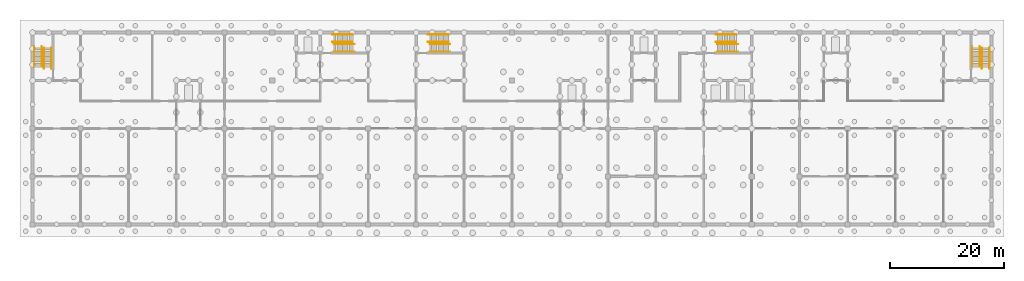
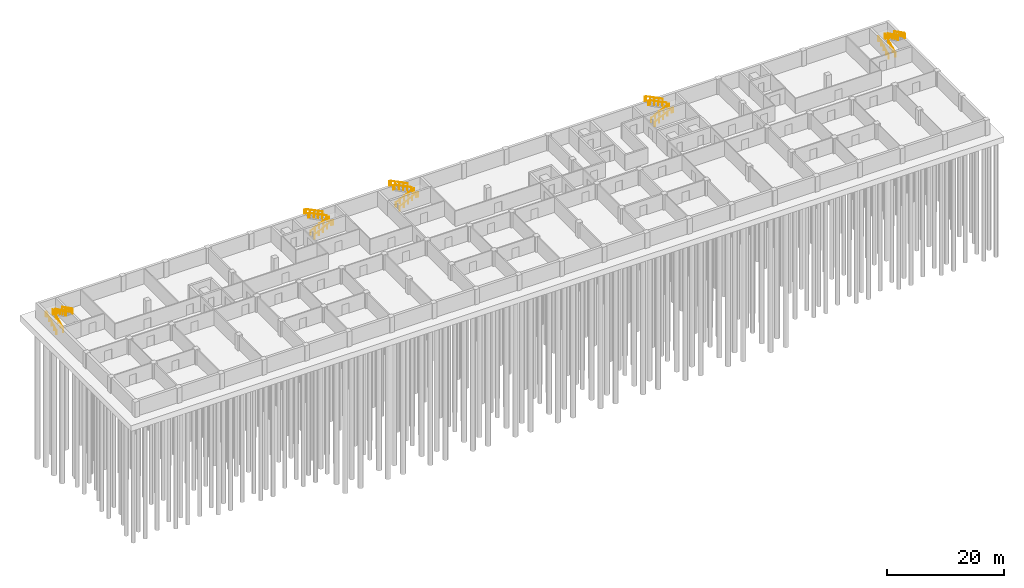
# One storey, part 10 of 11: 20 railings.
"""IFC4 building model written with IfcOpenShell, lengths in metres."""

from ifc_helpers import new_model, si_unit, direction, frame, origin, origin_2d, place, context, subcontext, project, spatial, circle, extrude, material, type_object, element, save


model = new_model("IFC4")

# Units and contexts
model_context = context("Model", 3, precision=1e-05, world=origin(), true_north=direction((0.0, 1.0)))
body_context = subcontext(model_context, "Body", "Model", "MODEL_VIEW")
ifc_project = project(units=[si_unit("LENGTHUNIT", "METRE"), si_unit("AREAUNIT", "SQUARE_METRE"), si_unit("VOLUMEUNIT", "CUBIC_METRE"), si_unit("PLANEANGLEUNIT", "RADIAN"), si_unit("MASSUNIT", "GRAM", prefix="KILO")], contexts=[model_context])

# Site, building, storey
site_placement = place(None, origin())
site = spatial("IfcSite", under=ifc_project, at=site_placement, CompositionType="ELEMENT")
building_placement = place(site_placement, origin())
building = spatial("IfcBuilding", under=site, at=building_placement, Name="Yavir Park General Hospital", CompositionType="ELEMENT")
storey_placement = place(building_placement, frame((0.0, 0.0, -15.0)))
storey = spatial("IfcBuildingStorey", under=building, at=storey_placement, Name="B4", CompositionType="ELEMENT", Elevation=-15.0)

# Railings
ifc_material = material(Name="Stainless steel tube 48 mm", Category="steel")
railing_type = type_object("IfcRailingType", Name="Stair handrail, steel tube, 900 mm above the nosings", PredefinedType="HANDRAIL", material=ifc_material)
for number, where, name in (
    (1, (0.2900390625, 27.60009765625, 0.14990234375), "Handrail BS1 B4 1"),
    (2, (1.610107421875, 27.60009765625, 0.14990234375), "Handrail BS1 B4 2"),
):
    element("IfcRailing", number, at=place(storey_placement, frame(where)), inside=storey, type_object=railing_type, Name=name, PredefinedType="HANDRAIL", context=body_context, shape_type="SweptSolid", body=[
        extrude(circle(Radius=0.02392578125, at=origin_2d()), frame((0.0, 0.0, 0.8759765625), z_axis=(0.0, 0.894400720042, 0.447266533499), x_axis=(-1.0, 0.0, 0.0)), (0.0, 0.0, 1.0), 3.689453125),
        extrude(circle(Radius=0.02392578125, at=origin_2d()), frame((0.0, 3.2998046875, 2.52587890625), z_axis=(0.0, 1.0, 0.0), x_axis=(-1.0, 0.0, 0.0)), (0.0, 0.0, 1.0), 0.300048828125),
        extrude(circle(Radius=0.02099609375, at=origin_2d()), origin(), (0.0, 0.0, 1.0), 0.851806640625),
        extrude(circle(Radius=0.02099609375, at=origin_2d()), frame((0.0, 0.824951171875, 0.41259765625)), (0.0, 0.0, 1.0), 0.851806640625),
        extrude(circle(Radius=0.02099609375, at=origin_2d()), frame((0.0, 1.64990234375, 0.8251953125)), (0.0, 0.0, 1.0), 0.851806640625),
        extrude(circle(Radius=0.02099609375, at=origin_2d()), frame((0.0, 2.474853515625, 1.237548828125)), (0.0, 0.0, 1.0), 0.851806640625),
        extrude(circle(Radius=0.02099609375, at=origin_2d()), frame((0.0, 3.2998046875, 1.650146484375)), (0.0, 0.0, 1.0), 0.851806640625),
        extrude(circle(Radius=0.02099609375, at=origin_2d()), frame((0.0, 3.599853515625, 1.650146484375)), (0.0, 0.0, 1.0), 0.851806640625),
    ])
for number, where, name in (
    (3, (3.31005859375, 30.89990234375, 1.949951171875), "Handrail BS1 B4 3"),
    (4, (1.989990234375, 30.89990234375, 1.949951171875), "Handrail BS1 B4 4"),
):
    element("IfcRailing", number, at=place(storey_placement, frame(where)), inside=storey, type_object=railing_type, Name=name, PredefinedType="HANDRAIL", context=body_context, shape_type="SweptSolid", body=[
        extrude(circle(Radius=0.02392578125, at=origin_2d()), frame((0.0, 0.0, 0.8759765625), z_axis=(0.0, -0.894400720042, 0.447266533499), x_axis=(1.0, 0.0, 0.0)), (0.0, 0.0, 1.0), 3.689453125),
        extrude(circle(Radius=0.02392578125, at=origin_2d()), frame((0.0, -3.2998046875, 2.52587890625), z_axis=(0.0, -1.0, 0.0), x_axis=(1.0, 0.0, 0.0)), (0.0, 0.0, 1.0), 0.300048828125),
        extrude(circle(Radius=0.02099609375, at=origin_2d()), origin(), (0.0, 0.0, 1.0), 0.851806640625),
        extrude(circle(Radius=0.02099609375, at=origin_2d()), frame((0.0, -0.824951171875, 0.41259765625)), (0.0, 0.0, 1.0), 0.851806640625),
        extrude(circle(Radius=0.02099609375, at=origin_2d()), frame((0.0, -1.64990234375, 0.8251953125)), (0.0, 0.0, 1.0), 0.851806640625),
        extrude(circle(Radius=0.02099609375, at=origin_2d()), frame((0.0, -2.474853515625, 1.237548828125)), (0.0, 0.0, 1.0), 0.851806640625),
        extrude(circle(Radius=0.02099609375, at=origin_2d()), frame((0.0, -3.2998046875, 1.650146484375)), (0.0, 0.0, 1.0), 0.851806640625),
        extrude(circle(Radius=0.02099609375, at=origin_2d()), frame((0.0, -3.599853515625, 1.650146484375)), (0.0, 0.0, 1.0), 0.851806640625),
    ])
for number, where, name in (
    (5, (52.800048828125, 30.239990234375, 0.14990234375), "Handrail BS2 B4 1"),
    (6, (52.800048828125, 31.56005859375, 0.14990234375), "Handrail BS2 B4 2"),
):
    element("IfcRailing", number, at=place(storey_placement, frame(where)), inside=storey, type_object=railing_type, Name=name, PredefinedType="HANDRAIL", context=body_context, shape_type="SweptSolid", body=[
        extrude(circle(Radius=0.02392578125, at=origin_2d()), frame((0.0, 0.0, 0.8759765625), z_axis=(0.894413956696, 0.0, 0.447240063129), x_axis=(0.0, 1.0, 0.0)), (0.0, 0.0, 1.0), 3.689697265625),
        extrude(circle(Radius=0.02392578125, at=origin_2d()), frame((3.300048828125, 0.0, 2.52587890625), z_axis=(1.0, 0.0, 0.0), x_axis=(0.0, 1.0, 0.0)), (0.0, 0.0, 1.0), 0.2998046875),
        extrude(circle(Radius=0.02099609375, at=origin_2d()), origin(), (0.0, 0.0, 1.0), 0.851806640625),
        extrude(circle(Radius=0.02099609375, at=origin_2d()), frame((0.824951171875, 0.0, 0.41259765625)), (0.0, 0.0, 1.0), 0.851806640625),
        extrude(circle(Radius=0.02099609375, at=origin_2d()), frame((1.64990234375, 0.0, 0.8251953125)), (0.0, 0.0, 1.0), 0.851806640625),
        extrude(circle(Radius=0.02099609375, at=origin_2d()), frame((2.47509765625, 0.0, 1.237548828125)), (0.0, 0.0, 1.0), 0.851806640625),
        extrude(circle(Radius=0.02099609375, at=origin_2d()), frame((3.300048828125, 0.0, 1.650146484375)), (0.0, 0.0, 1.0), 0.851806640625),
        extrude(circle(Radius=0.02099609375, at=origin_2d()), frame((3.599853515625, 0.0, 1.650146484375)), (0.0, 0.0, 1.0), 0.851806640625),
    ])
for number, where, name in (
    (7, (56.10009765625, 33.260009765625, 1.949951171875), "Handrail BS2 B4 3"),
    (8, (56.10009765625, 31.93994140625, 1.949951171875), "Handrail BS2 B4 4"),
):
    element("IfcRailing", number, at=place(storey_placement, frame(where)), inside=storey, type_object=railing_type, Name=name, PredefinedType="HANDRAIL", context=body_context, shape_type="SweptSolid", body=[
        extrude(circle(Radius=0.02392578125, at=origin_2d()), frame((0.0, 0.0, 0.8759765625), z_axis=(-0.894413956696, 0.0, 0.447240063129), x_axis=(0.0, -1.0, 0.0)), (0.0, 0.0, 1.0), 3.689697265625),
        extrude(circle(Radius=0.02392578125, at=origin_2d()), frame((-3.300048828125, 0.0, 2.52587890625), z_axis=(-1.0, 0.0, 0.0), x_axis=(0.0, -1.0, 0.0)), (0.0, 0.0, 1.0), 0.300048828125),
        extrude(circle(Radius=0.02099609375, at=origin_2d()), origin(), (0.0, 0.0, 1.0), 0.851806640625),
        extrude(circle(Radius=0.02099609375, at=origin_2d()), frame((-0.824951171875, 0.0, 0.41259765625)), (0.0, 0.0, 1.0), 0.851806640625),
        extrude(circle(Radius=0.02099609375, at=origin_2d()), frame((-1.64990234375, 0.0, 0.8251953125)), (0.0, 0.0, 1.0), 0.851806640625),
        extrude(circle(Radius=0.02099609375, at=origin_2d()), frame((-2.47509765625, 0.0, 1.237548828125)), (0.0, 0.0, 1.0), 0.851806640625),
        extrude(circle(Radius=0.02099609375, at=origin_2d()), frame((-3.300048828125, 0.0, 1.650146484375)), (0.0, 0.0, 1.0), 0.851806640625),
        extrude(circle(Radius=0.02099609375, at=origin_2d()), frame((-3.60009765625, 0.0, 1.650146484375)), (0.0, 0.0, 1.0), 0.851806640625),
    ])
for number, where, name in (
    (9, (69.60009765625, 30.239990234375, 0.14990234375), "Handrail BS3 B4 1"),
    (10, (69.60009765625, 31.56005859375, 0.14990234375), "Handrail BS3 B4 2"),
):
    element("IfcRailing", number, at=place(storey_placement, frame(where)), inside=storey, type_object=railing_type, Name=name, PredefinedType="HANDRAIL", context=body_context, shape_type="SweptSolid", body=[
        extrude(circle(Radius=0.02392578125, at=origin_2d()), frame((0.0, 0.0, 0.8759765625), z_axis=(0.894400720042, 0.0, 0.447266533499), x_axis=(0.0, 1.0, 0.0)), (0.0, 0.0, 1.0), 3.689453125),
        extrude(circle(Radius=0.02392578125, at=origin_2d()), frame((3.2998046875, 0.0, 2.52587890625), z_axis=(1.0, 0.0, 0.0), x_axis=(0.0, 1.0, 0.0)), (0.0, 0.0, 1.0), 0.300048828125),
        extrude(circle(Radius=0.02099609375, at=origin_2d()), origin(), (0.0, 0.0, 1.0), 0.851806640625),
        extrude(circle(Radius=0.02099609375, at=origin_2d()), frame((0.824951171875, 0.0, 0.41259765625)), (0.0, 0.0, 1.0), 0.851806640625),
        extrude(circle(Radius=0.02099609375, at=origin_2d()), frame((1.64990234375, 0.0, 0.8251953125)), (0.0, 0.0, 1.0), 0.851806640625),
        extrude(circle(Radius=0.02099609375, at=origin_2d()), frame((2.474853515625, 0.0, 1.237548828125)), (0.0, 0.0, 1.0), 0.851806640625),
        extrude(circle(Radius=0.02099609375, at=origin_2d()), frame((3.2998046875, 0.0, 1.650146484375)), (0.0, 0.0, 1.0), 0.851806640625),
        extrude(circle(Radius=0.02099609375, at=origin_2d()), frame((3.599853515625, 0.0, 1.650146484375)), (0.0, 0.0, 1.0), 0.851806640625),
    ])
for number, where, name in (
    (11, (72.89990234375, 33.260009765625, 1.949951171875), "Handrail BS3 B4 3"),
    (12, (72.89990234375, 31.93994140625, 1.949951171875), "Handrail BS3 B4 4"),
):
    element("IfcRailing", number, at=place(storey_placement, frame(where)), inside=storey, type_object=railing_type, Name=name, PredefinedType="HANDRAIL", context=body_context, shape_type="SweptSolid", body=[
        extrude(circle(Radius=0.02392578125, at=origin_2d()), frame((0.0, 0.0, 0.8759765625), z_axis=(-0.894400720042, 0.0, 0.447266533499), x_axis=(0.0, -1.0, 0.0)), (0.0, 0.0, 1.0), 3.689453125),
        extrude(circle(Radius=0.02392578125, at=origin_2d()), frame((-3.2998046875, 0.0, 2.52587890625), z_axis=(-1.0, 0.0, 0.0), x_axis=(0.0, -1.0, 0.0)), (0.0, 0.0, 1.0), 0.300048828125),
        extrude(circle(Radius=0.02099609375, at=origin_2d()), origin(), (0.0, 0.0, 1.0), 0.851806640625),
        extrude(circle(Radius=0.02099609375, at=origin_2d()), frame((-0.824951171875, 0.0, 0.41259765625)), (0.0, 0.0, 1.0), 0.851806640625),
        extrude(circle(Radius=0.02099609375, at=origin_2d()), frame((-1.64990234375, 0.0, 0.8251953125)), (0.0, 0.0, 1.0), 0.851806640625),
        extrude(circle(Radius=0.02099609375, at=origin_2d()), frame((-2.474853515625, 0.0, 1.237548828125)), (0.0, 0.0, 1.0), 0.851806640625),
        extrude(circle(Radius=0.02099609375, at=origin_2d()), frame((-3.2998046875, 0.0, 1.650146484375)), (0.0, 0.0, 1.0), 0.851806640625),
        extrude(circle(Radius=0.02099609375, at=origin_2d()), frame((-3.599853515625, 0.0, 1.650146484375)), (0.0, 0.0, 1.0), 0.851806640625),
    ])
for number, where, name in (
    (13, (120.0, 30.239990234375, 0.14990234375), "Handrail BS4 B4 1"),
    (14, (120.0, 31.56005859375, 0.14990234375), "Handrail BS4 B4 2"),
):
    element("IfcRailing", number, at=place(storey_placement, frame(where)), inside=storey, type_object=railing_type, Name=name, PredefinedType="HANDRAIL", context=body_context, shape_type="SweptSolid", body=[
        extrude(circle(Radius=0.02392578125, at=origin_2d()), frame((0.0, 0.0, 0.8759765625), z_axis=(0.894413956696, 0.0, 0.447240063129), x_axis=(0.0, 1.0, 0.0)), (0.0, 0.0, 1.0), 3.689697265625),
        extrude(circle(Radius=0.02392578125, at=origin_2d()), frame((3.300048828125, 0.0, 2.52587890625), z_axis=(1.0, 0.0, 0.0), x_axis=(0.0, 1.0, 0.0)), (0.0, 0.0, 1.0), 0.300048828125),
        extrude(circle(Radius=0.02099609375, at=origin_2d()), origin(), (0.0, 0.0, 1.0), 0.851806640625),
        extrude(circle(Radius=0.02099609375, at=origin_2d()), frame((0.824951171875, 0.0, 0.41259765625)), (0.0, 0.0, 1.0), 0.851806640625),
        extrude(circle(Radius=0.02099609375, at=origin_2d()), frame((1.64990234375, 0.0, 0.8251953125)), (0.0, 0.0, 1.0), 0.851806640625),
        extrude(circle(Radius=0.02099609375, at=origin_2d()), frame((2.47509765625, 0.0, 1.237548828125)), (0.0, 0.0, 1.0), 0.851806640625),
        extrude(circle(Radius=0.02099609375, at=origin_2d()), frame((3.300048828125, 0.0, 1.650146484375)), (0.0, 0.0, 1.0), 0.851806640625),
        extrude(circle(Radius=0.02099609375, at=origin_2d()), frame((3.60009765625, 0.0, 1.650146484375)), (0.0, 0.0, 1.0), 0.851806640625),
    ])
for number, where, name in (
    (15, (123.300048828125, 33.260009765625, 1.949951171875), "Handrail BS4 B4 3"),
    (16, (123.300048828125, 31.93994140625, 1.949951171875), "Handrail BS4 B4 4"),
):
    element("IfcRailing", number, at=place(storey_placement, frame(where)), inside=storey, type_object=railing_type, Name=name, PredefinedType="HANDRAIL", context=body_context, shape_type="SweptSolid", body=[
        extrude(circle(Radius=0.02392578125, at=origin_2d()), frame((0.0, 0.0, 0.8759765625), z_axis=(-0.894413956696, 0.0, 0.447240063129), x_axis=(0.0, -1.0, 0.0)), (0.0, 0.0, 1.0), 3.689697265625),
        extrude(circle(Radius=0.02392578125, at=origin_2d()), frame((-3.300048828125, 0.0, 2.52587890625), z_axis=(-1.0, 0.0, 0.0), x_axis=(0.0, -1.0, 0.0)), (0.0, 0.0, 1.0), 0.300048828125),
        extrude(circle(Radius=0.02099609375, at=origin_2d()), origin(), (0.0, 0.0, 1.0), 0.851806640625),
        extrude(circle(Radius=0.02099609375, at=origin_2d()), frame((-0.824951171875, 0.0, 0.41259765625)), (0.0, 0.0, 1.0), 0.851806640625),
        extrude(circle(Radius=0.02099609375, at=origin_2d()), frame((-1.64990234375, 0.0, 0.8251953125)), (0.0, 0.0, 1.0), 0.851806640625),
        extrude(circle(Radius=0.02099609375, at=origin_2d()), frame((-2.47509765625, 0.0, 1.237548828125)), (0.0, 0.0, 1.0), 0.851806640625),
        extrude(circle(Radius=0.02099609375, at=origin_2d()), frame((-3.300048828125, 0.0, 1.650146484375)), (0.0, 0.0, 1.0), 0.851806640625),
        extrude(circle(Radius=0.02099609375, at=origin_2d()), frame((-3.60009765625, 0.0, 1.650146484375)), (0.0, 0.0, 1.0), 0.851806640625),
    ])
for number, where, name in (
    (17, (164.639892578125, 27.60009765625, 0.14990234375), "Handrail BS5 B4 1"),
    (18, (165.9599609375, 27.60009765625, 0.14990234375), "Handrail BS5 B4 2"),
):
    element("IfcRailing", number, at=place(storey_placement, frame(where)), inside=storey, type_object=railing_type, Name=name, PredefinedType="HANDRAIL", context=body_context, shape_type="SweptSolid", body=[
        extrude(circle(Radius=0.02392578125, at=origin_2d()), frame((0.0, 0.0, 0.8759765625), z_axis=(0.0, 0.894400720042, 0.447266533499), x_axis=(-1.0, 0.0, 0.0)), (0.0, 0.0, 1.0), 3.689453125),
        extrude(circle(Radius=0.02392578125, at=origin_2d()), frame((0.0, 3.2998046875, 2.52587890625), z_axis=(0.0, 1.0, 0.0), x_axis=(-1.0, 0.0, 0.0)), (0.0, 0.0, 1.0), 0.300048828125),
        extrude(circle(Radius=0.02099609375, at=origin_2d()), origin(), (0.0, 0.0, 1.0), 0.851806640625),
        extrude(circle(Radius=0.02099609375, at=origin_2d()), frame((0.0, 0.824951171875, 0.41259765625)), (0.0, 0.0, 1.0), 0.851806640625),
        extrude(circle(Radius=0.02099609375, at=origin_2d()), frame((0.0, 1.64990234375, 0.8251953125)), (0.0, 0.0, 1.0), 0.851806640625),
        extrude(circle(Radius=0.02099609375, at=origin_2d()), frame((0.0, 2.474853515625, 1.237548828125)), (0.0, 0.0, 1.0), 0.851806640625),
        extrude(circle(Radius=0.02099609375, at=origin_2d()), frame((0.0, 3.2998046875, 1.650146484375)), (0.0, 0.0, 1.0), 0.851806640625),
        extrude(circle(Radius=0.02099609375, at=origin_2d()), frame((0.0, 3.599853515625, 1.650146484375)), (0.0, 0.0, 1.0), 0.851806640625),
    ])
for number, where, name in (
    (19, (167.659912109375, 30.89990234375, 1.949951171875), "Handrail BS5 B4 3"),
    (20, (166.340087890625, 30.89990234375, 1.949951171875), "Handrail BS5 B4 4"),
):
    element("IfcRailing", number, at=place(storey_placement, frame(where)), inside=storey, type_object=railing_type, Name=name, PredefinedType="HANDRAIL", context=body_context, shape_type="SweptSolid", body=[
        extrude(circle(Radius=0.02392578125, at=origin_2d()), frame((0.0, 0.0, 0.8759765625), z_axis=(0.0, -0.894400720042, 0.447266533499), x_axis=(1.0, 0.0, 0.0)), (0.0, 0.0, 1.0), 3.689453125),
        extrude(circle(Radius=0.02392578125, at=origin_2d()), frame((0.0, -3.2998046875, 2.52587890625), z_axis=(0.0, -1.0, 0.0), x_axis=(1.0, 0.0, 0.0)), (0.0, 0.0, 1.0), 0.300048828125),
        extrude(circle(Radius=0.02099609375, at=origin_2d()), origin(), (0.0, 0.0, 1.0), 0.851806640625),
        extrude(circle(Radius=0.02099609375, at=origin_2d()), frame((0.0, -0.824951171875, 0.41259765625)), (0.0, 0.0, 1.0), 0.851806640625),
        extrude(circle(Radius=0.02099609375, at=origin_2d()), frame((0.0, -1.64990234375, 0.8251953125)), (0.0, 0.0, 1.0), 0.851806640625),
        extrude(circle(Radius=0.02099609375, at=origin_2d()), frame((0.0, -2.474853515625, 1.237548828125)), (0.0, 0.0, 1.0), 0.851806640625),
        extrude(circle(Radius=0.02099609375, at=origin_2d()), frame((0.0, -3.2998046875, 1.650146484375)), (0.0, 0.0, 1.0), 0.851806640625),
        extrude(circle(Radius=0.02099609375, at=origin_2d()), frame((0.0, -3.599853515625, 1.650146484375)), (0.0, 0.0, 1.0), 0.851806640625),
    ])

save(model, "model.ifc")
